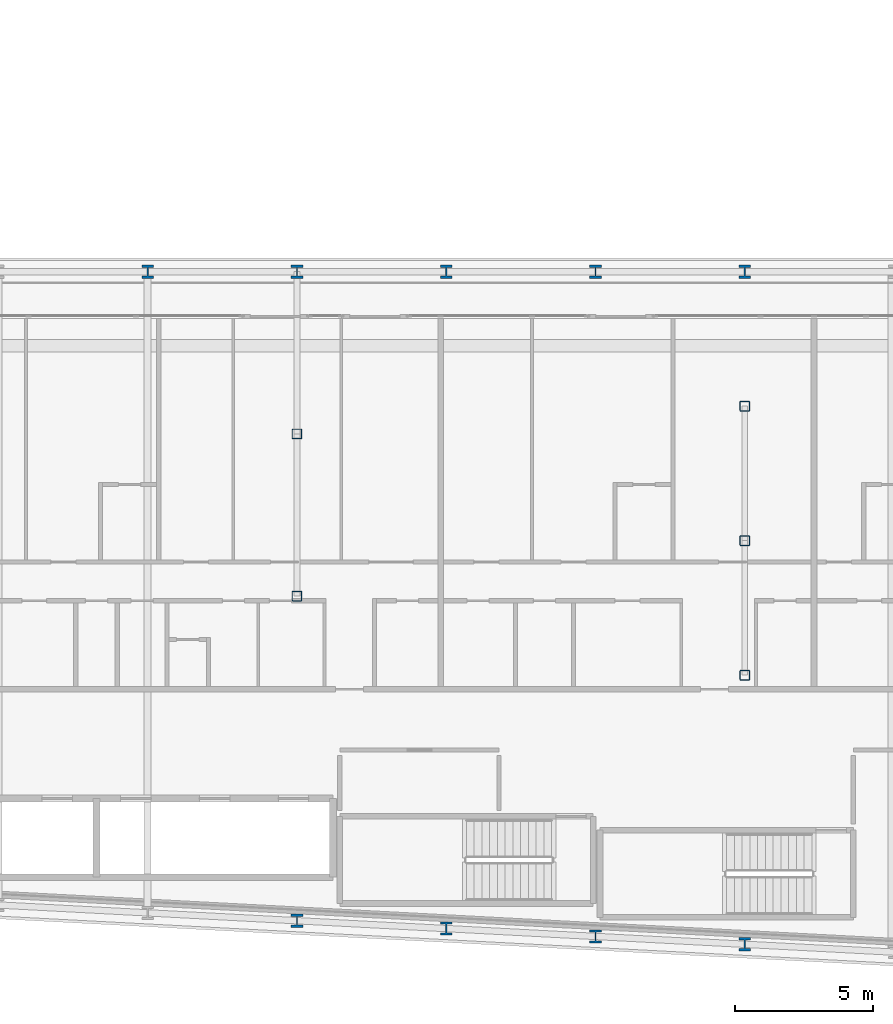
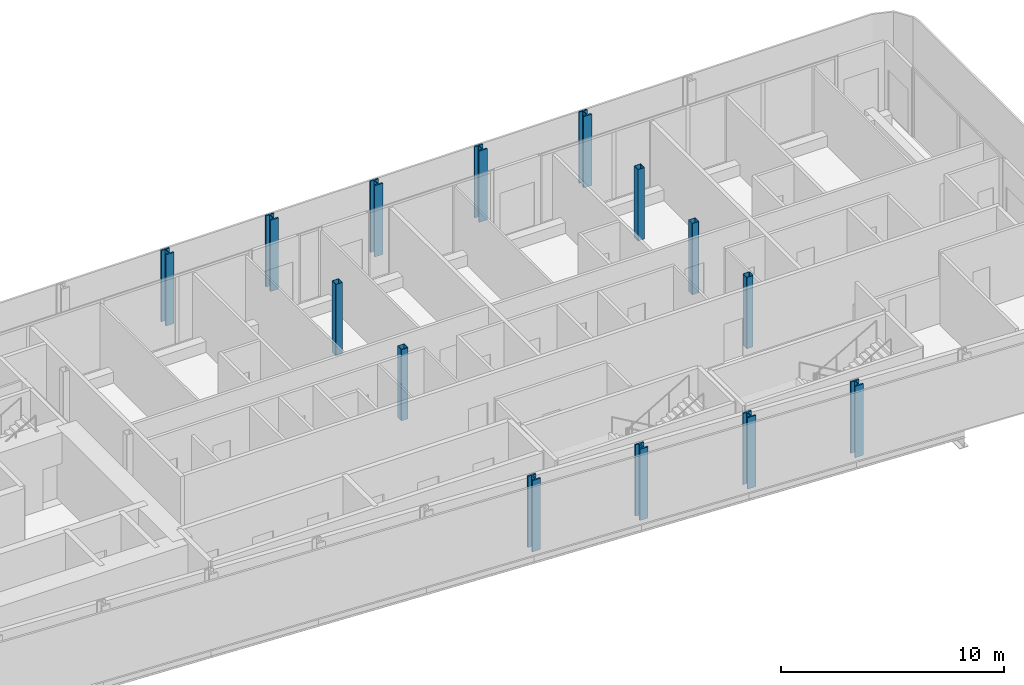
# One storey, part 2 of 29: 14 columns.
"""IFC4 building model written with IfcOpenShell, lengths in metres."""

import ifcopenshell
import ifcopenshell.guid

model = None  # the IFC model being written
_history = None  # IfcOwnerHistory: only IFC2X3 demands one
_inside = {}  # id of a spatial element -> (the spatial element, [elements in it])
_under = {}  # id of a project, library or spatial element -> (it, [spatial elements below it])
_declared = {}  # id of a project -> (the project, [libraries it declares])
_typed = {}  # id of a type object -> (the type object, [elements of that type])
_made_of = {}  # id of a material, layer set ... -> (it, [elements and type objects made of it])


def new_model(schema):
    """Start an empty IFC model of exactly this schema.

    Asked for "IFC4X3", IfcOpenShell would pick the latest addendum, in which some entities
    have other attributes; the version numbers below select the first issue.
    IFC2X3 requires an IfcOwnerHistory on every rooted entity: one is made here for all.
    """
    global model, _history
    if schema == "IFC4X3":
        model = ifcopenshell.file(schema_version=(4, 3, 0, 0))
    else:
        model = ifcopenshell.file(schema=schema)
    _inside.clear()
    _under.clear()
    _declared.clear()
    _typed.clear()
    _made_of.clear()
    _history = None
    if model.schema == "IFC2X3":
        org = make("IfcOrganization", Name="unknown")
        user = make(
            "IfcPersonAndOrganization",
            ThePerson=make("IfcPerson", FamilyName="unknown"),
            TheOrganization=org,
        )
        app = make(
            "IfcApplication",
            ApplicationDeveloper=org,
            Version="unknown",
            ApplicationFullName="unknown",
            ApplicationIdentifier="unknown",
        )
        _history = make(
            "IfcOwnerHistory",
            OwningUser=user,
            OwningApplication=app,
            ChangeAction="ADDED",
            CreationDate=0,
        )
    return model


def make(cls, **values):
    """One entity of the class cls with the attributes given. An attribute that is None is left unset."""
    return model.create_entity(
        cls, **{name: value for name, value in values.items() if value is not None}
    )


def rooted(cls, **values):
    """An entity with a GlobalId (a new one), such as an element, a storey or a relation."""
    return make(cls, GlobalId=ifcopenshell.guid.new(), OwnerHistory=_history, **values)


def si_unit(unit_type, name, prefix=None):
    """IfcSIUnit, for example si_unit("LENGTHUNIT", "METRE", prefix="MILLI")."""
    return make("IfcSIUnit", UnitType=unit_type, Prefix=prefix, Name=name)


def assignment(units):
    """IfcUnitAssignment: the units of a project."""
    return None if units is None else make("IfcUnitAssignment", Units=units)


def point(xyz):
    """IfcCartesianPoint."""
    return None if xyz is None else make("IfcCartesianPoint", Coordinates=xyz)


def direction(xyz):
    """IfcDirection."""
    return None if xyz is None else make("IfcDirection", DirectionRatios=xyz)


def frame(location, z_axis=None, x_axis=None):
    """IfcAxis2Placement3D, a coordinate frame: its origin and axes. An axis left out is left unset."""
    return make(
        "IfcAxis2Placement3D",
        Location=point(location),
        Axis=direction(z_axis),
        RefDirection=direction(x_axis),
    )


def frame_2d(location, x_axis=None):
    """IfcAxis2Placement2D, a coordinate frame in the plane: its origin and x axis."""
    return make(
        "IfcAxis2Placement2D", Location=point(location), RefDirection=direction(x_axis)
    )


def origin():
    """The frame at (0, 0, 0) with its axes left unset."""
    return frame((0.0, 0.0, 0.0))


def origin_2d():
    """The frame at (0, 0) in the plane with its x axis left unset."""
    return frame_2d((0.0, 0.0))


def place(relative_to, where):
    """IfcLocalPlacement: puts the frame where relative to a parent placement (None: the world)."""
    return make(
        "IfcLocalPlacement", PlacementRelTo=relative_to, RelativePlacement=where
    )


def context(
    kind, dimensions, precision=None, world=None, true_north=None, identifier=None
):
    """IfcGeometricRepresentationContext, for example the 3D "Model" context."""
    return make(
        "IfcGeometricRepresentationContext",
        ContextIdentifier=identifier,
        ContextType=kind,
        CoordinateSpaceDimension=dimensions,
        Precision=precision,
        WorldCoordinateSystem=world,
        TrueNorth=true_north,
    )


def subcontext(parent, identifier, kind, view, scale=None):
    """IfcGeometricRepresentationSubContext, for example "Body" below "Model"."""
    return make(
        "IfcGeometricRepresentationSubContext",
        ContextIdentifier=identifier,
        ContextType=kind,
        ParentContext=parent,
        TargetScale=scale,
        TargetView=view,
    )


def project(units=None, contexts=None):
    """IfcProject with its units and contexts."""
    return rooted(
        "IfcProject",
        Name="project",
        RepresentationContexts=contexts,
        UnitsInContext=assignment(units),
    )


def spatial(cls, under=None, at=None, **own):
    """A site, building, storey or space (cls), placed at a placement, below another one or the project."""
    s = rooted(cls, ObjectPlacement=at, **own)
    if under is not None:
        _under.setdefault(under.id(), (under, []))[1].append(s)
    return s


def profile(cls, at=None, kind="AREA", **sizes):
    """A parametric profile (cls). Its sizes go by their IFC names, for example OverallWidth=200.0."""
    return make(cls, ProfileType=kind, Position=at, **sizes)


def hollow_rectangle(**sizes):
    """IfcRectangleHollowProfileDef."""
    return profile("IfcRectangleHollowProfileDef", **sizes)


def i_section(**sizes):
    """IfcIShapeProfileDef."""
    return profile("IfcIShapeProfileDef", **sizes)


def extrude(swept, where, along, depth):
    """IfcExtrudedAreaSolid: the profile swept, set in the frame where, extruded along a direction by depth."""
    return make(
        "IfcExtrudedAreaSolid",
        SweptArea=swept,
        Position=where,
        ExtrudedDirection=direction(along),
        Depth=depth,
    )


def shape(context_of_items, identifier, shape_type, items):
    """IfcShapeRepresentation: the items that make up one representation, for example the "Body"."""
    return make(
        "IfcShapeRepresentation",
        ContextOfItems=context_of_items,
        RepresentationIdentifier=identifier,
        RepresentationType=shape_type,
        Items=items,
    )


def material(Name=None, Category=None):
    """IfcMaterial."""
    return make("IfcMaterial", Name=Name, Category=Category)


def material_profile(
    of_material, cross_section, Name=None, Category=None, Priority=None
):
    """IfcMaterialProfile: a cross section and its material."""
    return make(
        "IfcMaterialProfile",
        Name=Name,
        Material=of_material,
        Profile=cross_section,
        Priority=Priority,
        Category=Category,
    )


def profile_set(profiles, Name=None, composite=None):
    """IfcMaterialProfileSet."""
    return make(
        "IfcMaterialProfileSet",
        Name=Name,
        MaterialProfiles=profiles,
        CompositeProfile=composite,
    )


def made_of(thing, what):
    """Note that an element or type object is made of a material, layer set ...; save() writes the relation."""
    if what is not None:
        _made_of.setdefault(what.id(), (what, []))[1].append(thing)
    return thing


def type_object(cls, material=None, **own):
    """A type object (cls), such as IfcWallType, which elements share."""
    return made_of(rooted(cls, **own), material)


def element(
    cls,
    number,
    at=None,
    inside=None,
    cuts=None,
    type_object=None,
    material=None,
    context=None,
    identifier="Body",
    shape_type=None,
    held_by="IfcProductDefinitionShape",
    body=None,
    shapes=None,
    **own,
):
    """One element of the class cls, such as IfcWall. Its Tag is "e" and its number.

    at: its placement. inside: the storey or other place that contains it. cuts: it is an
    opening in that element (IfcRelVoidsElement). A single representation is given by context,
    identifier, shape_type and body (its items); several are given by shapes. held_by: the class
    of the entity that holds the representations. save() writes the other relations.
    """
    e = rooted(cls, Tag="e%d" % number, ObjectPlacement=at, **own)
    if body is not None:
        shapes = [shape(context, identifier, shape_type, body)]
    if shapes is not None:
        e.Representation = make(held_by, Representations=shapes)
    if inside is not None:
        _inside.setdefault(inside.id(), (inside, []))[1].append(e)
    if cuts is not None:
        rooted(
            "IfcRelVoidsElement", RelatingBuildingElement=cuts, RelatedOpeningElement=e
        )
    if type_object is not None:
        _typed.setdefault(type_object.id(), (type_object, []))[1].append(e)
    return made_of(e, material)


def aggregate(whole, parts):
    """IfcRelAggregates: a whole, such as a stair, and the parts it consists of."""
    return rooted("IfcRelAggregates", RelatingObject=whole, RelatedObjects=parts)


def save(model, path):
    """Write the relations noted so far, then the file.

    IfcRelAggregates (storeys below a building ...), IfcRelContainedInSpatialStructure (elements
    in a storey), IfcRelDefinesByType, IfcRelAssociatesMaterial and IfcRelDeclares: one each for
    every whole, place, type object, material and project.
    """
    for whole, parts in _under.values():
        aggregate(whole, parts)
    for where, things in _inside.values():
        rooted(
            "IfcRelContainedInSpatialStructure",
            RelatedElements=things,
            RelatingStructure=where,
        )
    for kind, things in _typed.values():
        rooted("IfcRelDefinesByType", RelatedObjects=things, RelatingType=kind)
    for what, things in _made_of.values():
        rooted("IfcRelAssociatesMaterial", RelatedObjects=things, RelatingMaterial=what)
    for by, libraries in _declared.values():
        rooted("IfcRelDeclares", RelatingContext=by, RelatedDefinitions=libraries)
    model.write(path)


model = new_model("IFC4")

# Units and contexts
model_context = context("Model", 3, precision=1e-05, world=origin(), true_north=direction((0.0, 1.0)))
body_context = subcontext(model_context, "Body", "Model", "MODEL_VIEW")
ifc_project = project(units=[si_unit("LENGTHUNIT", "METRE"), si_unit("AREAUNIT", "SQUARE_METRE"), si_unit("VOLUMEUNIT", "CUBIC_METRE"), si_unit("PLANEANGLEUNIT", "RADIAN"), si_unit("MASSUNIT", "GRAM", prefix="KILO")], contexts=[model_context])

# Site, building, storey
site_placement = place(None, origin())
site = spatial("IfcSite", under=ifc_project, at=site_placement, CompositionType="ELEMENT")
building_placement = place(site_placement, origin())
building = spatial("IfcBuilding", under=site, at=building_placement, Name="Kheshtan School and Residences Tower", CompositionType="ELEMENT")
storey_placement = place(building_placement, frame((0.0, 0.0, 69.5)))
storey = spatial("IfcBuildingStorey", under=building, at=storey_placement, Name="L16", CompositionType="ELEMENT", Elevation=69.5)

# Columns
ifc_material_1 = material(Name="Steel ASTM A992 Grade 50", Category="steel")
ifc_material_profile_1 = material_profile(ifc_material_1, i_section(OverallWidth=0.424072265625, OverallDepth=0.47412109375, WebThickness=0.047607421875, FlangeThickness=0.0771484375, FilletRadius=0.01416015625, at=origin_2d()), Name="W360x634")
ifc_profile_set_1 = profile_set([ifc_material_profile_1], Name="Steel ASTM A992 Grade 50")
column_type_1 = type_object("IfcColumnType", Name="Column C1 W360x634 ASTM A992 Grade 50", PredefinedType="COLUMN", material=ifc_profile_set_1)
for number, where, z_axis, x_axis, name in (
    (1, (85.39990234375, 21.27392578125, 0.0), (0.0, 0.0, 1.0), (1.0, 0.0, 0.0), "Column C008"),
    (2, (80.0, 21.55810546875, 0.0), (0.0, 0.0, 1.0), (1.0, 0.0, 0.0), "Column C012"),
    (3, (74.60009765625, 21.843017578125, 0.0), (0.0, 0.0, 1.0), (1.0, 0.0, 0.0), "Column C013"),
    (4, (69.199951171875, 22.126953125, 0.0), (0.0, 0.0, 1.0), (1.0, 0.0, 0.0), "Column C014"),
    (5, (63.800048828125, 45.60009765625, 0.0), (0.0, 0.0, 1.0), (1.0, 0.0, 0.0), "Column C063"),
    (6, (69.199951171875, 45.60009765625, 0.0), (0.0, 0.0, 1.0), (1.0, 0.0, 0.0), "Column C064"),
    (7, (74.60009765625, 45.60009765625, 0.0), (0.0, 0.0, 1.0), (1.0, 0.0, 0.0), "Column C065"),
    (8, (80.0, 45.60009765625, 0.0), (0.0, 0.0, 1.0), (1.0, 0.0, 0.0), "Column C066"),
    (9, (85.39990234375, 45.60009765625, 0.0), (0.0, 0.0, 1.0), (1.0, 0.0, 0.0), "Column C067"),
):
    element("IfcColumn", number, at=place(storey_placement, frame(where, z_axis=z_axis, x_axis=x_axis)), inside=storey, type_object=column_type_1, Name=name, PredefinedType="COLUMN", context=body_context, shape_type="SweptSolid", body=[
        extrude(i_section(OverallWidth=0.424072265625, OverallDepth=0.47412109375, WebThickness=0.047607421875, FlangeThickness=0.0771484375, FilletRadius=0.01416015625, at=origin_2d()), origin(), (0.0, 0.0, 1.0), 3.89990234375),
    ])
ifc_material_2 = material(Name="Steel ASTM A500 Grade C", Category="steel")
ifc_material_profile_2 = material_profile(ifc_material_2, hollow_rectangle(XDim=0.35595703125, YDim=0.35595703125, WallThickness=0.015869140625, InnerFilletRadius=0.015869140625, OuterFilletRadius=0.03173828125, at=origin_2d()), Name="HSS 356x356x15.9")
ifc_profile_set_2 = profile_set([ifc_material_profile_2], Name="Steel ASTM A500 Grade C")
column_type_2 = type_object("IfcColumnType", Name="Column IC1 HSS 356x356x15.9 ASTM A500 Grade C", PredefinedType="COLUMN", material=ifc_profile_set_2)
for number, where, z_axis, x_axis, name in (
    (10, (85.39990234375, 31.0048828125, 0.0), (0.0, 0.0, 1.0), (1.0, 0.0, 0.0), "Column C049"),
    (11, (69.199951171875, 33.863037109375, 0.0), (0.0, 0.0, 1.0), (1.0, 0.0, 0.0), "Column C050"),
    (12, (85.39990234375, 35.8701171875, 0.0), (0.0, 0.0, 1.0), (1.0, 0.0, 0.0), "Column C053"),
    (13, (69.199951171875, 39.73193359375, 0.0), (0.0, 0.0, 1.0), (1.0, 0.0, 0.0), "Column C054"),
    (14, (85.39990234375, 40.735107421875, 0.0), (0.0, 0.0, 1.0), (1.0, 0.0, 0.0), "Column C057"),
):
    element("IfcColumn", number, at=place(storey_placement, frame(where, z_axis=z_axis, x_axis=x_axis)), inside=storey, type_object=column_type_2, Name=name, PredefinedType="COLUMN", context=body_context, shape_type="SweptSolid", body=[
        extrude(hollow_rectangle(XDim=0.35595703125, YDim=0.35595703125, WallThickness=0.015869140625, InnerFilletRadius=0.015869140625, OuterFilletRadius=0.03173828125, at=origin_2d()), origin(), (0.0, 0.0, 1.0), 3.89990234375),
    ])

save(model, "model.ifc")
